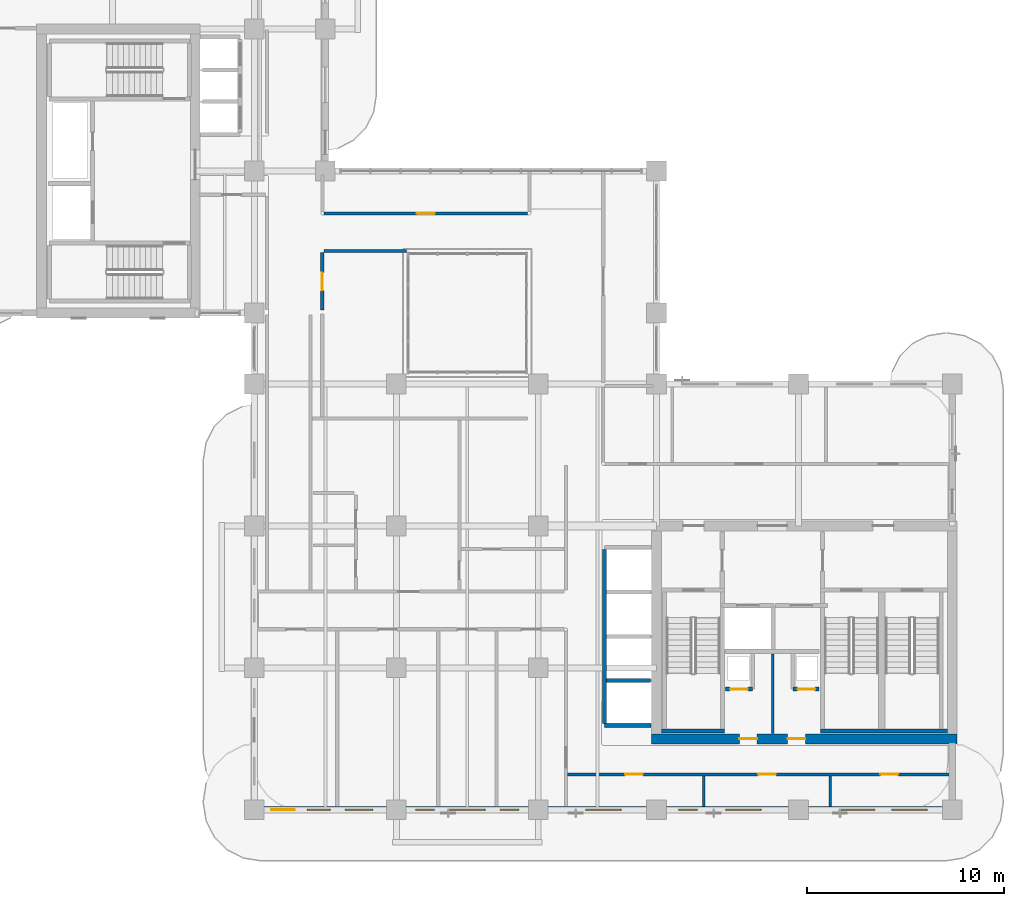
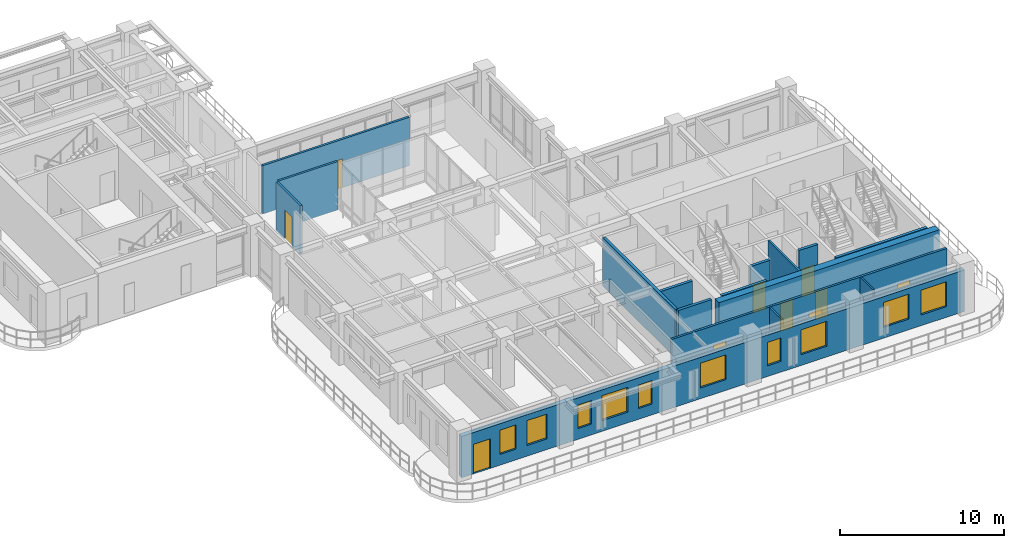
# One storey, part 12 of 21: 16 walls, 10 doors, 10 windows, 20 openings.
"""IFC4 building model written with IfcOpenShell, lengths in metres."""

from ifc_helpers import new_model, si_unit, derived_unit, direction, frame, frame_2d, origin, place, context, subcontext, project, spatial, rectangle, extrude, source, transform, mapped, material, layer, layer_set, type_object, type_shapes, element, fill, save


model = new_model("IFC4")

# Units and contexts
model_context = context("Model", 3, precision=1e-05, world=origin(), true_north=direction((0.0, 1.0)))
body_context = subcontext(model_context, "Body", "Model", "MODEL_VIEW")
ifc_project = project(units=[si_unit("LENGTHUNIT", "METRE"), si_unit("AREAUNIT", "SQUARE_METRE"), si_unit("VOLUMEUNIT", "CUBIC_METRE"), si_unit("PLANEANGLEUNIT", "RADIAN"), si_unit("MASSUNIT", "GRAM", prefix="KILO"), si_unit("THERMODYNAMICTEMPERATUREUNIT", "KELVIN"), si_unit("POWERUNIT", "WATT"), derived_unit("THERMALTRANSMITTANCEUNIT", [(si_unit("POWERUNIT", "WATT"), 1), (si_unit("AREAUNIT", "SQUARE_METRE"), -1), (si_unit("THERMODYNAMICTEMPERATUREUNIT", "KELVIN"), -1)])], contexts=[model_context])

# Site, building, storey
site_placement = place(None, origin())
site = spatial("IfcSite", under=ifc_project, at=site_placement, CompositionType="ELEMENT")
building_placement = place(site_placement, origin())
building = spatial("IfcBuilding", under=site, at=building_placement, Name="Zahravan Archway Hotel and Residences", CompositionType="ELEMENT")
storey_placement = place(building_placement, frame((0.0, 0.0, 169.550048828125)))
storey = spatial("IfcBuildingStorey", under=building, at=storey_placement, Name="L42", CompositionType="ELEMENT", Elevation=169.550048828125)

# Wall, openings, doors
ifc_material_1 = material(Name="Concrete C60/75", Category="concrete")
ifc_layer_1 = layer(ifc_material_1, 0.5, Name="Concrete C60/75", Category="concrete")
ifc_layer_set_1 = layer_set([ifc_layer_1], Name="Concrete C60/75")
wall_type_1 = type_object("IfcWallType", Name="CW-CORE-500", PredefinedType="SHEAR", material=ifc_layer_set_1)
wall_1_placement = place(storey_placement, frame((34.550048828125, 3.60009765625, 0.0), z_axis=(0.0, 0.0, 1.0), x_axis=(1.0, 0.0, 0.0)))
wall_1 = element("IfcWall", 1, at=wall_1_placement, inside=storey, type_object=wall_type_1, Name="L42 Core A Shear S Wall 500 mm", PredefinedType="SHEAR", context=body_context, shape_type="SweptSolid", body=[
    extrude(rectangle(XDim=15.5, YDim=0.5, at=frame_2d((7.75, 0.0))), origin(), (0.0, 0.0, 1.0), 3.849853515625),
])
opening_1_placement = place(wall_1_placement, frame((4.449951171875, 0.0, 0.0)))
opening_1 = element("IfcOpeningElement", 2, at=opening_1_placement, cuts=wall_1, Name="Opening FD-R1", PredefinedType="OPENING", context=body_context, shape_type="SweptSolid", body=[
    extrude(rectangle(XDim=0.89990234375, YDim=2.10009765625, at=frame_2d((0.449951171875, 1.050048828125))), frame((0.0, 0.260009765625, 0.0), z_axis=(0.0, -1.0, 0.0), x_axis=(1.0, 0.0, 0.0)), (0.0, 0.0, 1.0), 0.52001953125),
])
opening_2_placement = place(wall_1_placement, frame((6.89990234375, 0.0, 0.0)))
opening_2 = element("IfcOpeningElement", 3, at=opening_2_placement, cuts=wall_1, Name="Opening FD-R1", PredefinedType="OPENING", context=body_context, shape_type="SweptSolid", body=[
    extrude(rectangle(XDim=0.89990234375, YDim=2.10009765625, at=frame_2d((0.449951171875, 1.050048828125))), frame((0.0, 0.260009765625, 0.0), z_axis=(0.0, -1.0, 0.0), x_axis=(1.0, 0.0, 0.0)), (0.0, 0.0, 1.0), 0.52001953125),
])
ifc_material_2 = material(Name="Fire-Rated Painted Steel", Category="steel")
door_type_1 = type_object("IfcDoorType", Name="FD-RISER-900", OperationType="NOTDEFINED", PredefinedType="DOOR", material=ifc_material_2)
shared_shape_1 = source(origin(), body_context, "Body", "SweptSolid", [
    extrude(rectangle(XDim=0.89990234375, YDim=2.10009765625, at=frame_2d((0.449951171875, 1.050048828125))), frame((0.0, 0.02490234375, 0.0), z_axis=(0.0, -1.0, 0.0), x_axis=(1.0, 0.0, 0.0)), (0.0, 0.0, 1.0), 0.050048828125),
])
type_shapes(door_type_1, [shared_shape_1])
door_1_placement = place(opening_1_placement, origin())
door_1 = element("IfcDoor", 4, at=door_1_placement, inside=storey, type_object=door_type_1, Name="L42 Electrical Switchgear Door", OperationType="SINGLE_SWING_LEFT", OverallHeight=2.10009765625, OverallWidth=0.89990234375, PredefinedType="DOOR", context=body_context, shape_type="MappedRepresentation", body=[
    mapped(shared_shape_1, transform((0.0, 0.0, 0.0), scale=1.0)),
])
fill(opening_1, door_1)
door_2_placement = place(opening_2_placement, origin())
door_2 = element("IfcDoor", 5, at=door_2_placement, inside=storey, type_object=door_type_1, Name="L42 Telecom BMS Door", OperationType="SINGLE_SWING_RIGHT", OverallHeight=2.10009765625, OverallWidth=0.89990234375, PredefinedType="DOOR", context=body_context, shape_type="MappedRepresentation", body=[
    mapped(shared_shape_1, transform((0.0, 0.0, 0.0), scale=1.0)),
])
fill(opening_2, door_2)

# Wall, openings, door, windows
ifc_material_3 = material(Name="Agra Buff Sandstone & Insulated Backup", Category="masonry")
ifc_layer_2 = layer(ifc_material_3, 0.320068359375, Name="Agra Buff Sandstone & Insulated Backup", Category="masonry")
ifc_layer_set_2 = layer_set([ifc_layer_2], Name="Agra Buff Sandstone & Insulated Backup")
wall_type_2 = type_object("IfcWallType", Name="EW-SAND-320", PredefinedType="SOLIDWALL", material=ifc_layer_set_2)
wall_2_placement = place(storey_placement, frame((14.39990234375, 0.0, 0.0), z_axis=(0.0, 0.0, 1.0), x_axis=(1.0, 0.0, 0.0)))
wall_2 = element("IfcWall", 6, at=wall_2_placement, inside=storey, type_object=wall_type_2, Name="L42 Exterior Sandstone Wall WA-S", PredefinedType="SOLIDWALL", context=body_context, shape_type="SweptSolid", body=[
    extrude(rectangle(XDim=35.400146484375, YDim=0.320068359375, at=frame_2d((17.7001953125, 0.0))), origin(), (0.0, 0.0, 1.0), 3.0849609375),
])
opening_3_placement = place(wall_2_placement, frame((0.85009765625, 0.0, 0.0)))
opening_3 = element("IfcOpeningElement", 7, at=opening_3_placement, cuts=wall_2, Name="Opening ED-BL1", PredefinedType="OPENING", context=body_context, shape_type="SweptSolid", body=[
    extrude(rectangle(XDim=1.199951171875, YDim=2.199951171875, at=frame_2d((0.60009765625, 1.10009765625))), frame((0.0, 0.169921875, 0.0), z_axis=(0.0, -1.0, 0.0), x_axis=(1.0, 0.0, 0.0)), (0.0, 0.0, 1.0), 0.340087890625),
])
opening_4_placement = place(wall_2_placement, frame((2.696044921875, 0.0, 0.800048828125)))
opening_4 = element("IfcOpeningElement", 8, at=opening_4_placement, cuts=wall_2, Name="Opening W-05", PredefinedType="OPENING", context=body_context, shape_type="SweptSolid", body=[
    extrude(rectangle(XDim=1.14990234375, YDim=1.800048828125, at=frame_2d((0.574951171875, 0.89990234375))), frame((0.0, 0.169921875, 0.0), z_axis=(0.0, -1.0, 0.0), x_axis=(1.0, 0.0, 0.0)), (0.0, 0.0, 1.0), 0.340087890625),
])
opening_5_placement = place(wall_2_placement, frame((4.60400390625, 0.0, 0.800048828125)))
opening_5 = element("IfcOpeningElement", 9, at=opening_5_placement, cuts=wall_2, Name="Opening W-03", PredefinedType="OPENING", context=body_context, shape_type="SweptSolid", body=[
    extrude(rectangle(XDim=1.39990234375, YDim=1.85009765625, at=frame_2d((0.699951171875, 0.925048828125))), frame((0.0, 0.169921875, 0.0), z_axis=(0.0, -1.0, 0.0), x_axis=(1.0, 0.0, 0.0)), (0.0, 0.0, 1.0), 0.340087890625),
])
opening_6_placement = place(wall_2_placement, frame((8.180908203125, 0.0, 0.800048828125)))
opening_6 = element("IfcOpeningElement", 10, at=opening_6_placement, cuts=wall_2, Name="Opening W-04", PredefinedType="OPENING", context=body_context, shape_type="SweptSolid", body=[
    extrude(rectangle(XDim=0.949951171875, YDim=1.75, at=frame_2d((0.47509765625, 0.875))), frame((0.0, 0.169921875, 0.0), z_axis=(0.0, -1.0, 0.0), x_axis=(1.0, 0.0, 0.0)), (0.0, 0.0, 1.0), 0.340087890625),
])
opening_7_placement = place(wall_2_placement, frame((9.89990234375, 0.0, 0.800048828125)))
opening_7 = element("IfcOpeningElement", 11, at=opening_7_placement, cuts=wall_2, Name="Opening W-02", PredefinedType="OPENING", context=body_context, shape_type="SweptSolid", body=[
    extrude(rectangle(XDim=1.800048828125, YDim=1.85009765625, at=frame_2d((0.89990234375, 0.925048828125))), frame((0.0, 0.169921875, 0.0), z_axis=(0.0, -1.0, 0.0), x_axis=(1.0, 0.0, 0.0)), (0.0, 0.0, 1.0), 0.340087890625),
])
opening_8_placement = place(wall_2_placement, frame((12.468994140625, 0.0, 0.800048828125)))
opening_8 = element("IfcOpeningElement", 12, at=opening_8_placement, cuts=wall_2, Name="Opening W-04", PredefinedType="OPENING", context=body_context, shape_type="SweptSolid", body=[
    extrude(rectangle(XDim=0.949951171875, YDim=1.75, at=frame_2d((0.47509765625, 0.875))), frame((0.0, 0.169921875, 0.0), z_axis=(0.0, -1.0, 0.0), x_axis=(1.0, 0.0, 0.0)), (0.0, 0.0, 1.0), 0.340087890625),
])
opening_9_placement = place(wall_2_placement, frame((16.803955078125, 0.0, 0.800048828125)))
opening_9 = element("IfcOpeningElement", 13, at=opening_9_placement, cuts=wall_2, Name="Opening W-02", PredefinedType="OPENING", context=body_context, shape_type="SweptSolid", body=[
    extrude(rectangle(XDim=1.800048828125, YDim=1.85009765625, at=frame_2d((0.89990234375, 0.925048828125))), frame((0.0, 0.169921875, 0.0), z_axis=(0.0, -1.0, 0.0), x_axis=(1.0, 0.0, 0.0)), (0.0, 0.0, 1.0), 0.340087890625),
])
opening_10_placement = place(wall_2_placement, frame((21.52099609375, 0.0, 0.800048828125)))
opening_10 = element("IfcOpeningElement", 14, at=opening_10_placement, cuts=wall_2, Name="Opening W-04", PredefinedType="OPENING", context=body_context, shape_type="SweptSolid", body=[
    extrude(rectangle(XDim=0.949951171875, YDim=1.75, at=frame_2d((0.47509765625, 0.875))), frame((0.0, 0.169921875, 0.0), z_axis=(0.0, -1.0, 0.0), x_axis=(1.0, 0.0, 0.0)), (0.0, 0.0, 1.0), 0.340087890625),
])
opening_11_placement = place(wall_2_placement, frame((23.904052734375, 0.0, 0.800048828125)))
opening_11 = element("IfcOpeningElement", 15, at=opening_11_placement, cuts=wall_2, Name="Opening W-02", PredefinedType="OPENING", context=body_context, shape_type="SweptSolid", body=[
    extrude(rectangle(XDim=1.800048828125, YDim=1.85009765625, at=frame_2d((0.89990234375, 0.925048828125))), frame((0.0, 0.169921875, 0.0), z_axis=(0.0, -1.0, 0.0), x_axis=(1.0, 0.0, 0.0)), (0.0, 0.0, 1.0), 0.340087890625),
])
opening_12_placement = place(wall_2_placement, frame((29.680908203125, 0.0, 0.800048828125)))
opening_12 = element("IfcOpeningElement", 16, at=opening_12_placement, cuts=wall_2, Name="Opening W-02", PredefinedType="OPENING", context=body_context, shape_type="SweptSolid", body=[
    extrude(rectangle(XDim=1.800048828125, YDim=1.85009765625, at=frame_2d((0.89990234375, 0.925048828125))), frame((0.0, 0.169921875, 0.0), z_axis=(0.0, -1.0, 0.0), x_axis=(1.0, 0.0, 0.0)), (0.0, 0.0, 1.0), 0.340087890625),
])
opening_13_placement = place(wall_2_placement, frame((32.326904296875, 0.0, 0.800048828125)))
opening_13 = element("IfcOpeningElement", 17, at=opening_13_placement, cuts=wall_2, Name="Opening W-02", PredefinedType="OPENING", context=body_context, shape_type="SweptSolid", body=[
    extrude(rectangle(XDim=1.800048828125, YDim=1.85009765625, at=frame_2d((0.89990234375, 0.925048828125))), frame((0.0, 0.169921875, 0.0), z_axis=(0.0, -1.0, 0.0), x_axis=(1.0, 0.0, 0.0)), (0.0, 0.0, 1.0), 0.340087890625),
])
ifc_material_4 = material(Name="Bronze-Anodized Glazed Aluminium", Category="aluminium")
door_type_2 = type_object("IfcDoorType", Name="ED-BALC-1200", OperationType="SLIDING_TO_LEFT", PredefinedType="DOOR", material=ifc_material_4)
shared_shape_2 = source(origin(), body_context, "Body", "SweptSolid", [
    extrude(rectangle(XDim=1.199951171875, YDim=2.199951171875, at=frame_2d((0.60009765625, 1.10009765625))), frame((0.0, 0.02490234375, 0.0), z_axis=(0.0, -1.0, 0.0), x_axis=(1.0, 0.0, 0.0)), (0.0, 0.0, 1.0), 0.050048828125),
])
type_shapes(door_type_2, [shared_shape_2])
door_3_placement = place(opening_3_placement, origin())
door_3 = element("IfcDoor", 18, at=door_3_placement, inside=storey, type_object=door_type_2, Name="L42 Outdoor Access Sliding Door (SLB-BAL-L42-SA)", OperationType="SLIDING_TO_LEFT", OverallHeight=2.199951171875, OverallWidth=1.199951171875, PredefinedType="DOOR", context=body_context, shape_type="MappedRepresentation", body=[
    mapped(shared_shape_2, transform((0.0, 0.0, 0.0), scale=1.0)),
])
fill(opening_3, door_3)
ifc_material_5 = material(Name="Bronze-Anodized Thermal-Break Aluminium & Low-E Glass", Category="aluminium")
window_type_1 = type_object("IfcWindowType", Name="WIN-TWR-1400", PartitioningType="SINGLE_PANEL", PredefinedType="WINDOW", material=ifc_material_5)
shared_shape_3 = source(origin(), body_context, "Body", "SweptSolid", [
    extrude(rectangle(XDim=1.39990234375, YDim=1.85009765625, at=frame_2d((0.699951171875, 0.925048828125))), frame((0.0, 0.030029296875, 0.0), z_axis=(0.0, -1.0, 0.0), x_axis=(1.0, 0.0, 0.0)), (0.0, 0.0, 1.0), 0.06005859375),
])
type_shapes(window_type_1, [shared_shape_3])
window_1_placement = place(opening_5_placement, origin())
window_1 = element("IfcWindow", 19, at=window_1_placement, inside=storey, type_object=window_type_1, Name="L42 Loggia Window 02", OverallHeight=1.85009765625, OverallWidth=1.39990234375, PartitioningType="SINGLE_PANEL", PredefinedType="WINDOW", context=body_context, shape_type="MappedRepresentation", body=[
    mapped(shared_shape_3, transform((0.0, 0.0, 0.0), scale=1.0)),
])
fill(opening_5, window_1)
window_type_2 = type_object("IfcWindowType", Name="WIN-NAR-950", PartitioningType="SINGLE_PANEL", PredefinedType="WINDOW", material=ifc_material_5)
shared_shape_4 = source(origin(), body_context, "Body", "SweptSolid", [
    extrude(rectangle(XDim=0.949951171875, YDim=1.75, at=frame_2d((0.47509765625, 0.875))), frame((0.0, 0.030029296875, 0.0), z_axis=(0.0, -1.0, 0.0), x_axis=(1.0, 0.0, 0.0)), (0.0, 0.0, 1.0), 0.06005859375),
])
type_shapes(window_type_2, [shared_shape_4])
window_2_placement = place(opening_6_placement, origin())
window_2 = element("IfcWindow", 20, at=window_2_placement, inside=storey, type_object=window_type_2, Name="L42 Loggia Window 03", OverallHeight=1.75, OverallWidth=0.949951171875, PartitioningType="SINGLE_PANEL", PredefinedType="WINDOW", context=body_context, shape_type="MappedRepresentation", body=[
    mapped(shared_shape_4, transform((0.0, 0.0, 0.0), scale=1.0)),
])
fill(opening_6, window_2)
window_3_placement = place(opening_8_placement, origin())
window_3 = element("IfcWindow", 21, at=window_3_placement, inside=storey, type_object=window_type_2, Name="L42 Loggia Window 05", OverallHeight=1.75, OverallWidth=0.949951171875, PartitioningType="SINGLE_PANEL", PredefinedType="WINDOW", context=body_context, shape_type="MappedRepresentation", body=[
    mapped(shared_shape_4, transform((0.0, 0.0, 0.0), scale=1.0)),
])
fill(opening_8, window_3)
window_4_placement = place(opening_10_placement, origin())
window_4 = element("IfcWindow", 22, at=window_4_placement, inside=storey, type_object=window_type_2, Name="L42 Loggia Window 07", OverallHeight=1.75, OverallWidth=0.949951171875, PartitioningType="SINGLE_PANEL", PredefinedType="WINDOW", context=body_context, shape_type="MappedRepresentation", body=[
    mapped(shared_shape_4, transform((0.0, 0.0, 0.0), scale=1.0)),
])
fill(opening_10, window_4)
window_type_3 = type_object("IfcWindowType", Name="WIN-TWR-1800", PartitioningType="DOUBLE_PANEL_VERTICAL", PredefinedType="WINDOW", material=ifc_material_5)
shared_shape_5 = source(origin(), body_context, "Body", "SweptSolid", [
    extrude(rectangle(XDim=1.800048828125, YDim=1.85009765625, at=frame_2d((0.89990234375, 0.925048828125))), frame((0.0, 0.030029296875, 0.0), z_axis=(0.0, -1.0, 0.0), x_axis=(1.0, 0.0, 0.0)), (0.0, 0.0, 1.0), 0.06005859375),
])
type_shapes(window_type_3, [shared_shape_5])
window_5_placement = place(opening_7_placement, origin())
window_5 = element("IfcWindow", 23, at=window_5_placement, inside=storey, type_object=window_type_3, Name="L42 Loggia Window 04", OverallHeight=1.85009765625, OverallWidth=1.800048828125, PartitioningType="DOUBLE_PANEL_VERTICAL", PredefinedType="WINDOW", context=body_context, shape_type="MappedRepresentation", body=[
    mapped(shared_shape_5, transform((0.0, 0.0, 0.0), scale=1.0)),
])
fill(opening_7, window_5)
window_6_placement = place(opening_9_placement, origin())
window_6 = element("IfcWindow", 24, at=window_6_placement, inside=storey, type_object=window_type_3, Name="L42 Loggia Window 06", OverallHeight=1.85009765625, OverallWidth=1.800048828125, PartitioningType="DOUBLE_PANEL_VERTICAL", PredefinedType="WINDOW", context=body_context, shape_type="MappedRepresentation", body=[
    mapped(shared_shape_5, transform((0.0, 0.0, 0.0), scale=1.0)),
])
fill(opening_9, window_6)
window_7_placement = place(opening_11_placement, origin())
window_7 = element("IfcWindow", 25, at=window_7_placement, inside=storey, type_object=window_type_3, Name="L42 Loggia Window 08", OverallHeight=1.85009765625, OverallWidth=1.800048828125, PartitioningType="DOUBLE_PANEL_VERTICAL", PredefinedType="WINDOW", context=body_context, shape_type="MappedRepresentation", body=[
    mapped(shared_shape_5, transform((0.0, 0.0, 0.0), scale=1.0)),
])
fill(opening_11, window_7)
window_8_placement = place(opening_12_placement, origin())
window_8 = element("IfcWindow", 26, at=window_8_placement, inside=storey, type_object=window_type_3, Name="L42 Loggia Window 09", OverallHeight=1.85009765625, OverallWidth=1.800048828125, PartitioningType="DOUBLE_PANEL_VERTICAL", PredefinedType="WINDOW", context=body_context, shape_type="MappedRepresentation", body=[
    mapped(shared_shape_5, transform((0.0, 0.0, 0.0), scale=1.0)),
])
fill(opening_12, window_8)
window_9_placement = place(opening_13_placement, origin())
window_9 = element("IfcWindow", 27, at=window_9_placement, inside=storey, type_object=window_type_3, Name="L42 Loggia Window 10", OverallHeight=1.85009765625, OverallWidth=1.800048828125, PartitioningType="DOUBLE_PANEL_VERTICAL", PredefinedType="WINDOW", context=body_context, shape_type="MappedRepresentation", body=[
    mapped(shared_shape_5, transform((0.0, 0.0, 0.0), scale=1.0)),
])
fill(opening_13, window_9)
window_type_4 = type_object("IfcWindowType", Name="WIN-TWR-1150", PartitioningType="SINGLE_PANEL", PredefinedType="WINDOW", material=ifc_material_5)
shared_shape_6 = source(origin(), body_context, "Body", "SweptSolid", [
    extrude(rectangle(XDim=1.14990234375, YDim=1.800048828125, at=frame_2d((0.574951171875, 0.89990234375))), frame((0.0, 0.030029296875, 0.0), z_axis=(0.0, -1.0, 0.0), x_axis=(1.0, 0.0, 0.0)), (0.0, 0.0, 1.0), 0.06005859375),
])
type_shapes(window_type_4, [shared_shape_6])
window_10_placement = place(opening_4_placement, origin())
window_10 = element("IfcWindow", 28, at=window_10_placement, inside=storey, type_object=window_type_4, Name="L42 Loggia Window 01", OverallHeight=1.800048828125, OverallWidth=1.14990234375, PartitioningType="SINGLE_PANEL", PredefinedType="WINDOW", context=body_context, shape_type="MappedRepresentation", body=[
    mapped(shared_shape_6, transform((0.0, 0.0, 0.0), scale=1.0)),
])
fill(opening_4, window_10)

# Wall, openings, doors
ifc_material_6 = material(Name="Fire-Rated Gypsum & Concrete Block", Category="concrete")
ifc_layer_3 = layer(ifc_material_6, 0.159912109375, Name="Fire-Rated Gypsum & Concrete Block", Category="concrete")
ifc_layer_set_3 = layer_set([ifc_layer_3], Name="Fire-Rated Gypsum & Concrete Block")
wall_type_3 = type_object("IfcWallType", Name="PW-CORR-160", PredefinedType="PARTITIONING", material=ifc_layer_set_3)
wall_3_placement = place(storey_placement, frame((30.2900390625, 1.800048828125, 0.0), z_axis=(0.0, 0.0, 1.0), x_axis=(1.0, 0.0, 0.0)))
wall_3 = element("IfcWall", 29, at=wall_3_placement, inside=storey, type_object=wall_type_3, Name="L42 Partition WA-SRS", PredefinedType="PARTITIONING", context=body_context, shape_type="SweptSolid", body=[
    extrude(rectangle(XDim=19.369873046875, YDim=0.159912109375, at=frame_2d((9.68505859375, 0.0))), origin(), (0.0, 0.0, 1.0), 3.599853515625),
])
opening_14_placement = place(wall_3_placement, frame((2.916259765625, 0.0, 0.0)))
opening_14 = element("IfcOpeningElement", 30, at=opening_14_placement, cuts=wall_3, Name="Opening D-I2", PredefinedType="OPENING", context=body_context, shape_type="SweptSolid", body=[
    extrude(rectangle(XDim=0.89990234375, YDim=2.14990234375, at=frame_2d((0.449951171875, 1.074951171875))), frame((0.0, 0.08984375, 0.0), z_axis=(0.0, -1.0, 0.0), x_axis=(1.0, 0.0, 0.0)), (0.0, 0.0, 1.0), 0.179931640625),
])
opening_15_placement = place(wall_3_placement, frame((9.659912109375, 0.0, 0.0)))
opening_15 = element("IfcOpeningElement", 31, at=opening_15_placement, cuts=wall_3, Name="Opening D-I2", PredefinedType="OPENING", context=body_context, shape_type="SweptSolid", body=[
    extrude(rectangle(XDim=0.89990234375, YDim=2.14990234375, at=frame_2d((0.449951171875, 1.074951171875))), frame((0.0, 0.08984375, 0.0), z_axis=(0.0, -1.0, 0.0), x_axis=(1.0, 0.0, 0.0)), (0.0, 0.0, 1.0), 0.179931640625),
])
opening_16_placement = place(wall_3_placement, frame((15.860107421875, 0.0, 0.0)))
opening_16 = element("IfcOpeningElement", 32, at=opening_16_placement, cuts=wall_3, Name="Opening D-I2", PredefinedType="OPENING", context=body_context, shape_type="SweptSolid", body=[
    extrude(rectangle(XDim=0.89990234375, YDim=2.14990234375, at=frame_2d((0.449951171875, 1.074951171875))), frame((0.0, 0.08984375, 0.0), z_axis=(0.0, -1.0, 0.0), x_axis=(1.0, 0.0, 0.0)), (0.0, 0.0, 1.0), 0.179931640625),
])
ifc_material_7 = material(Name="Hardwood Veneer Timber", Category="wood")
door_type_3 = type_object("IfcDoorType", Name="ID-INT-900", OperationType="NOTDEFINED", PredefinedType="DOOR", material=ifc_material_7)
shared_shape_7 = source(origin(), body_context, "Body", "SweptSolid", [
    extrude(rectangle(XDim=0.89990234375, YDim=2.14990234375, at=frame_2d((0.449951171875, 1.074951171875))), frame((0.0, 0.02490234375, 0.0), z_axis=(0.0, -1.0, 0.0), x_axis=(1.0, 0.0, 0.0)), (0.0, 0.0, 1.0), 0.050048828125),
])
type_shapes(door_type_3, [shared_shape_7])
door_4_placement = place(opening_14_placement, origin())
door_4 = element("IfcDoor", 33, at=door_4_placement, inside=storey, type_object=door_type_3, Name="L42 South Office Door", OperationType="SINGLE_SWING_LEFT", OverallHeight=2.14990234375, OverallWidth=0.89990234375, PredefinedType="DOOR", context=body_context, shape_type="MappedRepresentation", body=[
    mapped(shared_shape_7, transform((0.0, 0.0, 0.0), scale=1.0)),
])
fill(opening_14, door_4)
door_5_placement = place(opening_15_placement, origin())
door_5 = element("IfcDoor", 34, at=door_5_placement, inside=storey, type_object=door_type_3, Name="L42 South Meeting Door", OperationType="SINGLE_SWING_RIGHT", OverallHeight=2.14990234375, OverallWidth=0.89990234375, PredefinedType="DOOR", context=body_context, shape_type="MappedRepresentation", body=[
    mapped(shared_shape_7, transform((0.0, 0.0, 0.0), scale=1.0)),
])
fill(opening_15, door_5)
door_6_placement = place(opening_16_placement, origin())
door_6 = element("IfcDoor", 35, at=door_6_placement, inside=storey, type_object=door_type_3, Name="L42 South Prayer Alcove Door", OperationType="SINGLE_SWING_LEFT", OverallHeight=2.14990234375, OverallWidth=0.89990234375, PredefinedType="DOOR", context=body_context, shape_type="MappedRepresentation", body=[
    mapped(shared_shape_7, transform((0.0, 0.0, 0.0), scale=1.0)),
])
fill(opening_16, door_6)

# Wall
wall_4_placement = place(storey_placement, frame((17.93994140625, 28.35009765625, 0.0), z_axis=(0.0, 0.0, 1.0), x_axis=(1.0, 0.0, 0.0)))
element("IfcWall", 36, at=wall_4_placement, inside=storey, type_object=wall_type_3, Name="L42 Partition ATR-NW2S", PredefinedType="PARTITIONING", context=body_context, shape_type="SweptSolid", body=[
    extrude(rectangle(XDim=4.170166015625, YDim=0.159912109375, at=frame_2d((2.0849609375, 0.0))), origin(), (0.0, 0.0, 1.0), 3.599853515625),
])

# Wall, opening, door
wall_5_placement = place(storey_placement, frame((17.93994140625, 30.25, 0.0), z_axis=(0.0, 0.0, 1.0), x_axis=(1.0, 0.0, 0.0)))
wall_5 = element("IfcWall", 37, at=wall_5_placement, inside=storey, type_object=wall_type_3, Name="L42 Partition ATR-NW2N", PredefinedType="PARTITIONING", context=body_context, shape_type="SweptSolid", body=[
    extrude(rectangle(XDim=10.320068359375, YDim=0.159912109375, at=frame_2d((5.16015625, 0.0))), origin(), (0.0, 0.0, 1.0), 3.599853515625),
])
opening_17_placement = place(wall_5_placement, frame((4.7099609375, 0.0, 0.0)))
opening_17 = element("IfcOpeningElement", 38, at=opening_17_placement, cuts=wall_5, Name="Opening D-I2", PredefinedType="OPENING", context=body_context, shape_type="SweptSolid", body=[
    extrude(rectangle(XDim=0.89990234375, YDim=2.14990234375, at=frame_2d((0.449951171875, 1.074951171875))), frame((0.0, 0.08984375, 0.0), z_axis=(0.0, -1.0, 0.0), x_axis=(1.0, 0.0, 0.0)), (0.0, 0.0, 1.0), 0.179931640625),
])
door_7_placement = place(opening_17_placement, origin())
door_7 = element("IfcDoor", 39, at=door_7_placement, inside=storey, type_object=door_type_3, Name="L42 Atrium North Seminar Door", OperationType="SINGLE_SWING_RIGHT", OverallHeight=2.14990234375, OverallWidth=0.89990234375, PredefinedType="DOOR", context=body_context, shape_type="MappedRepresentation", body=[
    mapped(shared_shape_7, transform((0.0, 0.0, 0.0), scale=1.0)),
])
fill(opening_17, door_7)

# Walls
ifc_material_8 = material(Name="Acoustic Stud Partition")
ifc_layer_4 = layer(ifc_material_8, 0.125, Name="Acoustic Stud Partition")
ifc_layer_set_4 = layer_set([ifc_layer_4], Name="Acoustic Stud Partition")
wall_type_4 = type_object("IfcWallType", Name="PW-INT-125", PredefinedType="PARTITIONING", material=ifc_layer_set_4)
for number, where, z_axis, x_axis, name in (
    (40, (37.199951171875, 0.16796875, 0.0), (0.0, 0.0, 1.0), (0.0, 1.0, 0.0), "L42 Partition S-DIV2A"),
    (41, (43.60009765625, 0.16796875, 0.0), (0.0, 0.0, 1.0), (0.0, 1.0, 0.0), "L42 Partition S-DIV2B"),
):
    element("IfcWall", number, at=place(storey_placement, frame(where, z_axis=z_axis, x_axis=x_axis)), inside=storey, type_object=wall_type_4, Name=name, PredefinedType="PARTITIONING", context=body_context, shape_type="SweptSolid", body=[
        extrude(rectangle(XDim=1.5419921875, YDim=0.125, at=frame_2d((0.77099609375, 0.0))), origin(), (0.0, 0.0, 1.0), 3.599853515625),
    ])

# Wall, opening, door
ifc_layer_5 = layer(ifc_material_6, 0.199951171875, Name="Fire-Rated Gypsum & Concrete Block", Category="concrete")
ifc_layer_set_5 = layer_set([ifc_layer_5], Name="Fire-Rated Gypsum & Concrete Block")
wall_type_5 = type_object("IfcWallType", Name="PW-SHAFT-200", PredefinedType="PARTITIONING", material=ifc_layer_set_5)
wall_6_placement = place(storey_placement, frame((38.2900390625, 6.1201171875, 0.0), z_axis=(0.0, 0.0, 1.0), x_axis=(1.0, 0.0, 0.0)))
wall_6 = element("IfcWall", 42, at=wall_6_placement, inside=storey, type_object=wall_type_5, Name="L42 Partition CA-SMKS", PredefinedType="PARTITIONING", context=body_context, shape_type="SweptSolid", body=[
    extrude(rectangle(XDim=1.3798828125, YDim=0.199951171875, at=frame_2d((0.68994140625, 0.0))), origin(), (0.0, 0.0, 1.0), 3.599853515625),
])
opening_18_placement = place(wall_6_placement, frame((0.239990234375, 0.0, 0.0)))
opening_18 = element("IfcOpeningElement", 43, at=opening_18_placement, cuts=wall_6, Name="Opening FD-R1", PredefinedType="OPENING", context=body_context, shape_type="SweptSolid", body=[
    extrude(rectangle(XDim=0.89990234375, YDim=2.10009765625, at=frame_2d((0.449951171875, 1.050048828125))), frame((0.0, 0.10986328125, 0.0), z_axis=(0.0, -1.0, 0.0), x_axis=(1.0, 0.0, 0.0)), (0.0, 0.0, 1.0), 0.219970703125),
])
door_8_placement = place(opening_18_placement, origin())
door_8 = element("IfcDoor", 44, at=door_8_placement, inside=storey, type_object=door_type_1, Name="L42 Smoke Riser Access Door", OperationType="SINGLE_SWING_LEFT", OverallHeight=2.10009765625, OverallWidth=0.89990234375, PredefinedType="DOOR", context=body_context, shape_type="MappedRepresentation", body=[
    mapped(shared_shape_1, transform((0.0, 0.0, 0.0), scale=1.0)),
])
fill(opening_18, door_8)

wall_7_placement = place(storey_placement, frame((41.72998046875, 6.1201171875, 0.0), z_axis=(0.0, 0.0, 1.0), x_axis=(1.0, 0.0, 0.0)))
wall_7 = element("IfcWall", 45, at=wall_7_placement, inside=storey, type_object=wall_type_5, Name="L42 Partition CA-MEPS", PredefinedType="PARTITIONING", context=body_context, shape_type="SweptSolid", body=[
    extrude(rectangle(XDim=1.320068359375, YDim=0.199951171875, at=frame_2d((0.66015625, 0.0))), origin(), (0.0, 0.0, 1.0), 3.599853515625),
])
opening_19_placement = place(wall_7_placement, frame((0.219970703125, 0.0, 0.0)))
opening_19 = element("IfcOpeningElement", 46, at=opening_19_placement, cuts=wall_7, Name="Opening FD-R1", PredefinedType="OPENING", context=body_context, shape_type="SweptSolid", body=[
    extrude(rectangle(XDim=0.89990234375, YDim=2.10009765625, at=frame_2d((0.449951171875, 1.050048828125))), frame((0.0, 0.10986328125, 0.0), z_axis=(0.0, -1.0, 0.0), x_axis=(1.0, 0.0, 0.0)), (0.0, 0.0, 1.0), 0.219970703125),
])
door_9_placement = place(opening_19_placement, origin())
door_9 = element("IfcDoor", 47, at=door_9_placement, inside=storey, type_object=door_type_1, Name="L42 MEP Riser Access Door", OperationType="SINGLE_SWING_RIGHT", OverallHeight=2.10009765625, OverallWidth=0.89990234375, PredefinedType="DOOR", context=body_context, shape_type="MappedRepresentation", body=[
    mapped(shared_shape_1, transform((0.0, 0.0, 0.0), scale=1.0)),
])
fill(opening_19, door_9)

# Walls
wall_8_placement = place(storey_placement, frame((32.159912109375, 4.280029296875, 0.0), z_axis=(0.0, 0.0, 1.0), x_axis=(1.0, 0.0, 0.0)))
element("IfcWall", 48, at=wall_8_placement, inside=storey, type_object=wall_type_5, Name="L42 Partition B3-S", PredefinedType="PARTITIONING", context=body_context, shape_type="SweptSolid", body=[
    extrude(rectangle(XDim=2.360107421875, YDim=0.199951171875, at=frame_2d((1.18017578125, 0.0))), origin(), (0.0, 0.0, 1.0), 3.599853515625),
])
wall_9_placement = place(storey_placement, frame((32.14990234375, 4.389892578125, 0.0), z_axis=(0.0, 0.0, 1.0), x_axis=(0.0, 1.0, 0.0)))
element("IfcWall", 49, at=wall_9_placement, inside=storey, type_object=wall_type_5, Name="L42 Partition B3-W", PredefinedType="PARTITIONING", context=body_context, shape_type="SweptSolid", body=[
    extrude(rectangle(XDim=8.820068359375, YDim=0.199951171875, at=frame_2d((4.41015625, 0.0))), origin(), (0.0, 0.0, 1.0), 3.599853515625),
])
wall_10_placement = place(storey_placement, frame((32.260009765625, 6.56005859375, 0.0), z_axis=(0.0, 0.0, 1.0), x_axis=(1.0, 0.0, 0.0)))
element("IfcWall", 50, at=wall_10_placement, inside=storey, type_object=wall_type_5, Name="L42 Partition B3-D", PredefinedType="PARTITIONING", context=body_context, shape_type="SweptSolid", body=[
    extrude(rectangle(XDim=2.22998046875, YDim=0.199951171875, at=frame_2d((1.114990234375, 0.0))), origin(), (0.0, 0.0, 1.0), 3.599853515625),
])

# Wall, opening, door
ifc_layer_6 = layer(ifc_material_8, 0.169921875, Name="Acoustic Stud Partition")
ifc_layer_set_6 = layer_set([ifc_layer_6], Name="Acoustic Stud Partition")
wall_type_6 = type_object("IfcWallType", Name="PW-UNIT-170", PredefinedType="PARTITIONING", material=ifc_layer_set_6)
wall_11_placement = place(storey_placement, frame((17.85009765625, 25.340087890625, 0.0), z_axis=(0.0, 0.0, 1.0), x_axis=(0.0, 1.0, 0.0)))
wall_11 = element("IfcWall", 51, at=wall_11_placement, inside=storey, type_object=wall_type_6, Name="L42 Partition ATR-W2", PredefinedType="PARTITIONING", context=body_context, shape_type="SweptSolid", body=[
    extrude(rectangle(XDim=2.919921875, YDim=0.169921875, at=frame_2d((1.4599609375, 0.0))), origin(), (0.0, 0.0, 1.0), 3.599853515625),
])
opening_20_placement = place(wall_11_placement, frame((1.010009765625, 0.0, 0.0)))
opening_20 = element("IfcOpeningElement", 52, at=opening_20_placement, cuts=wall_11, Name="Opening D-I2", PredefinedType="OPENING", context=body_context, shape_type="SweptSolid", body=[
    extrude(rectangle(XDim=0.89990234375, YDim=2.14990234375, at=frame_2d((0.449951171875, 1.074951171875))), frame((0.0, 0.094970703125, 0.0), z_axis=(0.0, -1.0, 0.0), x_axis=(1.0, 0.0, 0.0)), (0.0, 0.0, 1.0), 0.18994140625),
])
door_10_placement = place(opening_20_placement, origin())
door_10 = element("IfcDoor", 53, at=door_10_placement, inside=storey, type_object=door_type_3, Name="L42 Atrium West Focus Room Door", OperationType="SINGLE_SWING_LEFT", OverallHeight=2.14990234375, OverallWidth=0.89990234375, PredefinedType="DOOR", context=body_context, shape_type="MappedRepresentation", body=[
    mapped(shared_shape_7, transform((0.0, 0.0, 0.0), scale=1.0)),
])
fill(opening_20, door_10)

# Walls
ifc_material_9 = material(Name="Moisture-Resistant Blockwork", Category="masonry")
ifc_layer_7 = layer(ifc_material_9, 0.139892578125, Name="Moisture-Resistant Blockwork", Category="masonry")
ifc_layer_set_7 = layer_set([ifc_layer_7], Name="Moisture-Resistant Blockwork")
wall_type_7 = type_object("IfcWallType", Name="PW-WET-140", PredefinedType="PARTITIONING", material=ifc_layer_set_7)
wall_12_placement = place(storey_placement, frame((40.699951171875, 3.8701171875, 0.0), z_axis=(0.0, 0.0, 1.0), x_axis=(0.0, 1.0, 0.0)))
element("IfcWall", 54, at=wall_12_placement, inside=storey, type_object=wall_type_7, Name="L42 Partition CA-CV0", PredefinedType="PARTITIONING", context=body_context, shape_type="SweptSolid", body=[
    extrude(rectangle(XDim=4.039794921875, YDim=0.139892578125, at=frame_2d((2.02001953125, 0.0))), origin(), (0.0, 0.0, 1.0), 3.599853515625),
])
ifc_material_10 = material(Name="Concrete C50/60", Category="concrete")
ifc_layer_8 = layer(ifc_material_10, 0.199951171875, Name="Concrete C50/60", Category="concrete")
ifc_layer_set_8 = layer_set([ifc_layer_8], Name="Concrete C50/60")
wall_type_8 = type_object("IfcWallType", Name="SW-STAIR-200", PredefinedType="SHEAR", material=ifc_layer_set_8)
wall_13_placement = place(storey_placement, frame((35.050048828125, 4.0, 0.0), z_axis=(0.0, 0.0, 1.0), x_axis=(1.0, 0.0, 0.0)))
element("IfcWall", 55, at=wall_13_placement, inside=storey, type_object=wall_type_8, Name="L42 Stairwell RC Wall CA-SA1S", PredefinedType="SHEAR", context=body_context, shape_type="SweptSolid", body=[
    extrude(rectangle(XDim=3.18994140625, YDim=0.199951171875, at=frame_2d((1.594970703125, 0.0))), origin(), (0.0, 0.0, 1.0), 3.849853515625),
])
wall_14_placement = place(storey_placement, frame((43.1201171875, 4.0, 0.0), z_axis=(0.0, 0.0, 1.0), x_axis=(1.0, 0.0, 0.0)))
element("IfcWall", 56, at=wall_14_placement, inside=storey, type_object=wall_type_8, Name="L42 Stairwell RC Wall CA-SA23S", PredefinedType="SHEAR", context=body_context, shape_type="SweptSolid", body=[
    extrude(rectangle(XDim=6.429931640625, YDim=0.199951171875, at=frame_2d((3.21484375, 0.0))), origin(), (0.0, 0.0, 1.0), 3.849853515625),
])

save(model, "model.ifc")
